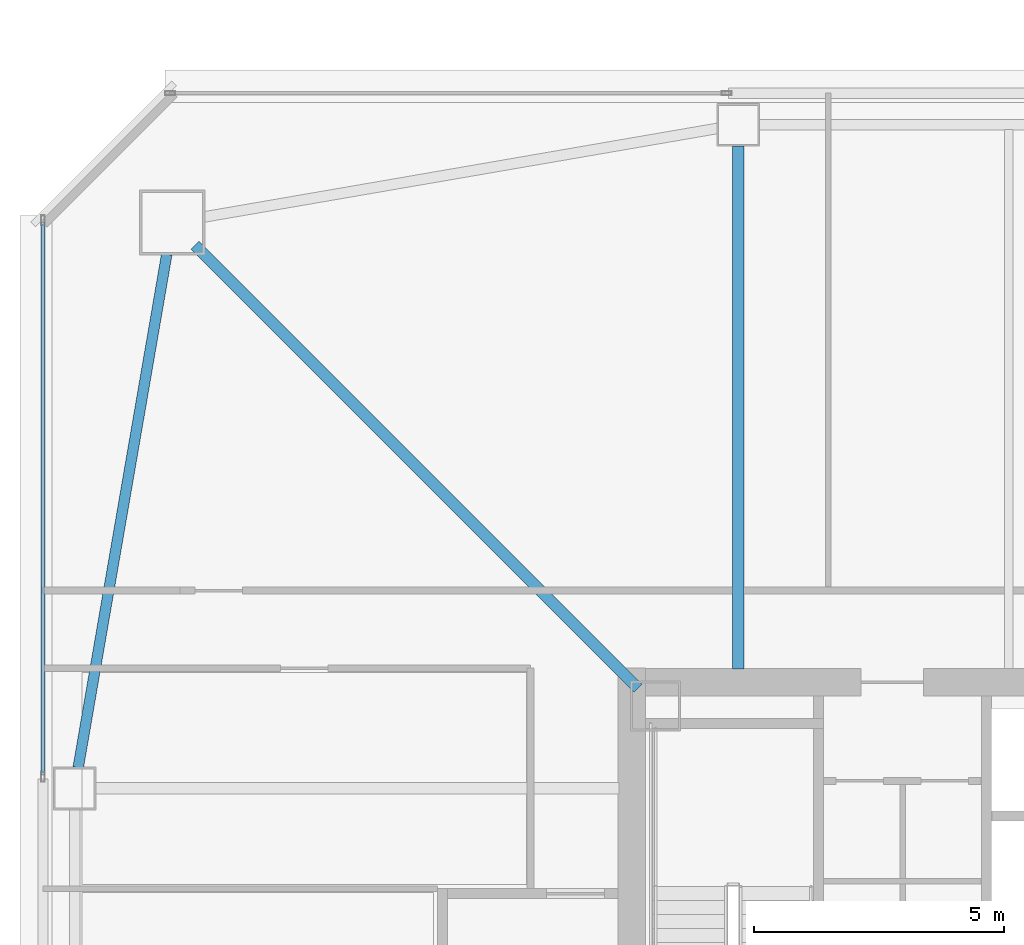
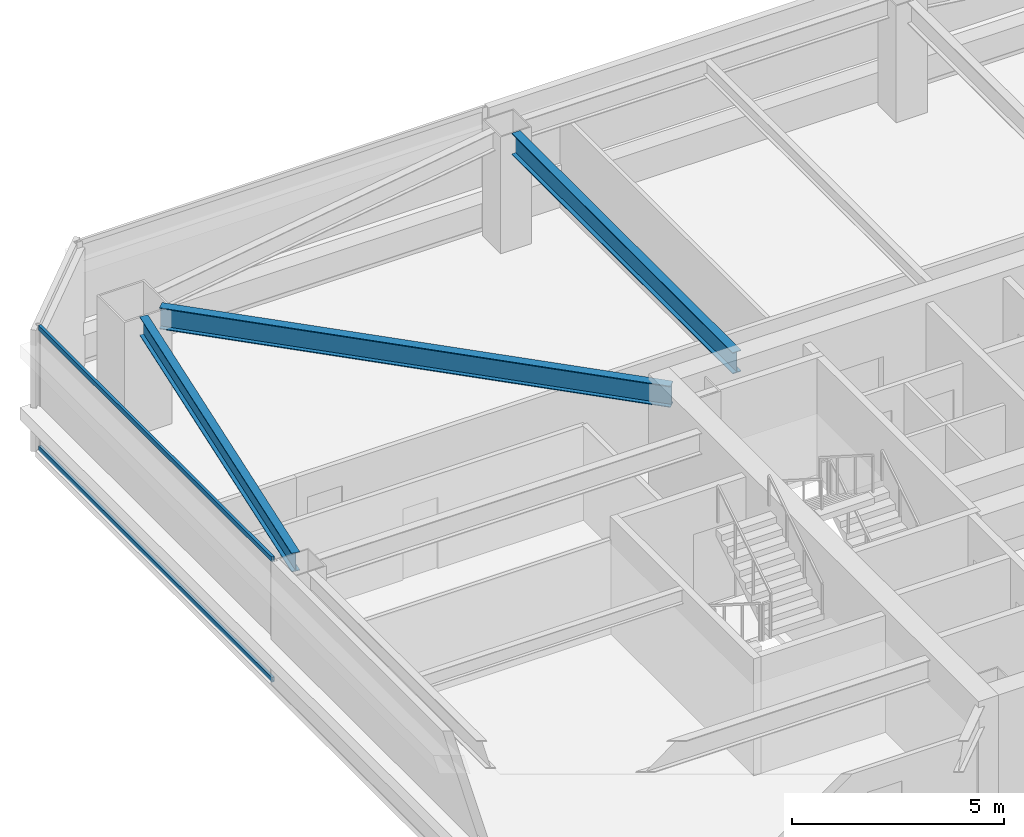
# One storey, part 11 of 41: 3 beams, 2 members, 1 element without a shape of its own.
"""IFC4 building model written with IfcOpenShell, lengths in metres."""

from ifc_helpers import new_model, si_unit, direction, frame, origin, origin_2d, place, context, subcontext, project, spatial, hollow_rectangle, i_section, extrude, material, material_profile, profile_set, type_object, element, aggregate, save


model = new_model("IFC4")

# Units and contexts
model_context = context("Model", 3, precision=1e-05, world=origin(), true_north=direction((0.0, 1.0)))
body_context = subcontext(model_context, "Body", "Model", "MODEL_VIEW")
ifc_project = project(units=[si_unit("LENGTHUNIT", "METRE"), si_unit("AREAUNIT", "SQUARE_METRE"), si_unit("VOLUMEUNIT", "CUBIC_METRE"), si_unit("PLANEANGLEUNIT", "RADIAN"), si_unit("MASSUNIT", "GRAM", prefix="KILO")], contexts=[model_context])

# Site, building, storey
site_placement = place(None, origin())
site = spatial("IfcSite", under=ifc_project, at=site_placement, CompositionType="ELEMENT")
building_placement = place(site_placement, origin())
building = spatial("IfcBuilding", under=site, at=building_placement, Name="Tashvorn Skyway Center", CompositionType="ELEMENT")
storey_placement = place(building_placement, frame((0.0, 0.0, 117.949951171875)))
storey = spatial("IfcBuildingStorey", under=building, at=storey_placement, Name="L31", CompositionType="ELEMENT", Elevation=117.949951171875)

# Beams
ifc_material_1 = material(Name="Steel ASTM A992 Grade 50", Category="steel")
ifc_material_profile_1 = material_profile(ifc_material_1, i_section(OverallWidth=0.22998046875, OverallDepth=0.616943359375, WebThickness=0.01318359375, FlangeThickness=0.022216796875, at=origin_2d()), Name="W24X94")
ifc_profile_set_1 = profile_set([ifc_material_profile_1], Name="Steel ASTM A992 Grade 50")
beam_type_1 = type_object("IfcBeamType", Name="BM-BEAM-W24X94", PredefinedType="BEAM", material=ifc_profile_set_1)
beam_1_placement = place(storey_placement, frame((25.756103515625, 48.243896484375, 3.0615234375), z_axis=(0.707106781187, -0.707106781187, 0.0), x_axis=(0.707106781187, 0.707106781187, 0.0)))
element("IfcBeam", 1, at=beam_1_placement, inside=storey, type_object=beam_type_1, Name="Tower 1 L31 Primary Floor Girder MC-NW", PredefinedType="BEAM", context=body_context, shape_type="SweptSolid", body=[
    extrude(i_section(OverallWidth=0.22998046875, OverallDepth=0.616943359375, WebThickness=0.01318359375, FlangeThickness=0.022216796875, at=origin_2d()), origin(), (0.0, 0.0, 1.0), 12.50732421875),
])
beam_2_placement = place(storey_placement, frame((36.60009765625, 50.22998046875, 3.0615234375), z_axis=(0.0, -1.0, 0.0), x_axis=(1.0, 0.0, 0.0)))
element("IfcBeam", 2, at=beam_2_placement, inside=storey, type_object=beam_type_1, Name="Tower 1 L31 Primary Floor Girder FC-N2", PredefinedType="BEAM", context=body_context, shape_type="SweptSolid", body=[
    extrude(i_section(OverallWidth=0.22998046875, OverallDepth=0.616943359375, WebThickness=0.01318359375, FlangeThickness=0.022216796875, at=origin_2d()), origin(), (0.0, 0.0, 1.0), 10.449951171875),
])
ifc_material_profile_2 = material_profile(ifc_material_1, i_section(OverallWidth=0.2109375, OverallDepth=0.5390625, WebThickness=0.01171875, FlangeThickness=0.018798828125, at=origin_2d()), Name="W21X73")
ifc_profile_set_2 = profile_set([ifc_material_profile_2], Name="Steel ASTM A992 Grade 50")
beam_type_2 = type_object("IfcBeamType", Name="BM-SPANDREL-W21X73", PredefinedType="SPANDREL", material=ifc_profile_set_2)
beam_3_placement = place(storey_placement, frame((25.1904296875, 48.064453125, 3.1005859375), z_axis=(-0.170067250846, -0.985432458462, 0.0), x_axis=(0.985432458462, -0.170067250846, 0.0)))
element("IfcBeam", 3, at=beam_3_placement, inside=storey, type_object=beam_type_2, Name="Tower 1 L31 Spandrel Beam 10", PredefinedType="SPANDREL", context=body_context, shape_type="SweptSolid", body=[
    extrude(i_section(OverallWidth=0.2109375, OverallDepth=0.5390625, WebThickness=0.01171875, FlangeThickness=0.018798828125, at=origin_2d()), origin(), (0.0, 0.0, 1.0), 10.402099609375),
])

# Curtain wall, members
ifc_material_2 = material(Name="Thermally broken bronze-anodized aluminium 6063-T6", Category="aluminium")
curtain_wall_type = type_object("IfcCurtainWallType", Name="CW-CW-Z3", PredefinedType="NOTDEFINED", material=ifc_material_2)
curtain_wall_placement = place(storey_placement, origin())
curtain_wall = element("IfcCurtainWall", 4, at=curtain_wall_placement, inside=storey, type_object=curtain_wall_type, Name="Tower 1 L31 West Unitised Curtain Wall Glazing Group 2", PredefinedType="NOTDEFINED")
ifc_material_profile_3 = material_profile(ifc_material_2, hollow_rectangle(XDim=0.074951171875, YDim=0.139892578125, WallThickness=0.004150390625, at=origin_2d()), Name="ALU-TRAN-75x140")
ifc_profile_set_3 = profile_set([ifc_material_profile_3], Name="Thermally broken bronze-anodized aluminium 6063-T6")
member_type = type_object("IfcMemberType", Name="CWT-CW-Z3", PredefinedType="USERDEFINED", material=ifc_profile_set_3)
member_1_placement = place(storey_placement, frame((22.719970703125, 37.668212890625, 0.03759765625), z_axis=(0.0, 1.0, 0.0), x_axis=(-1.0, 0.0, 0.0)))
member_1 = element("IfcMember", 5, at=member_1_placement, type_object=member_type, Name="CW-Z3 transom 1.1", ObjectType="TRANSOM", PredefinedType="USERDEFINED", context=body_context, shape_type="SweptSolid", body=[
    extrude(hollow_rectangle(XDim=0.074951171875, YDim=0.139892578125, WallThickness=0.004150390625, at=origin_2d()), origin(), (0.0, 0.0, 1.0), 11.036865234375),
])
member_2_placement = place(storey_placement, frame((22.719970703125, 37.668212890625, 3.512451171875), z_axis=(0.0, 1.0, 0.0), x_axis=(-1.0, 0.0, 0.0)))
member_2 = element("IfcMember", 6, at=member_2_placement, type_object=member_type, Name="CW-Z3 transom 1.2", ObjectType="TRANSOM", PredefinedType="USERDEFINED", context=body_context, shape_type="SweptSolid", body=[
    extrude(hollow_rectangle(XDim=0.074951171875, YDim=0.139892578125, WallThickness=0.004150390625, at=origin_2d()), origin(), (0.0, 0.0, 1.0), 11.036865234375),
])
aggregate(curtain_wall, [member_1, member_2])

save(model, "model.ifc")
